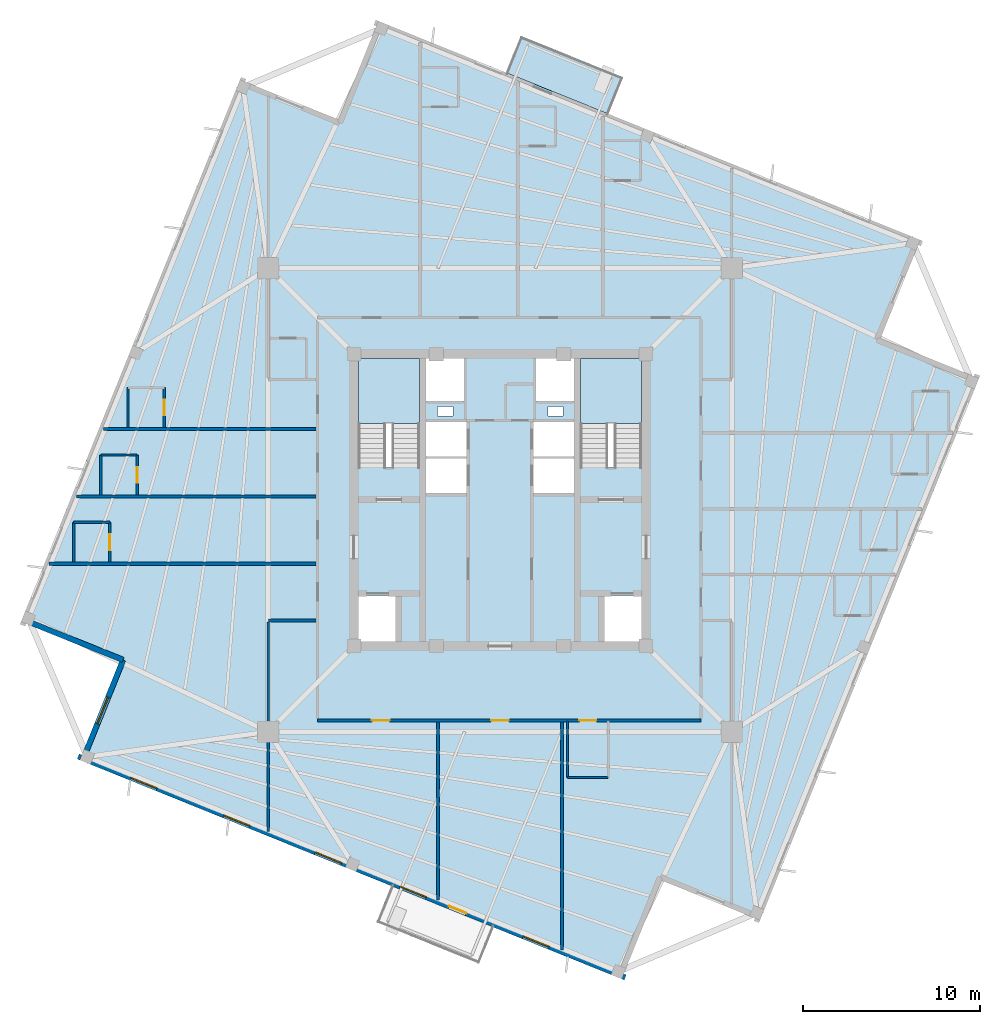
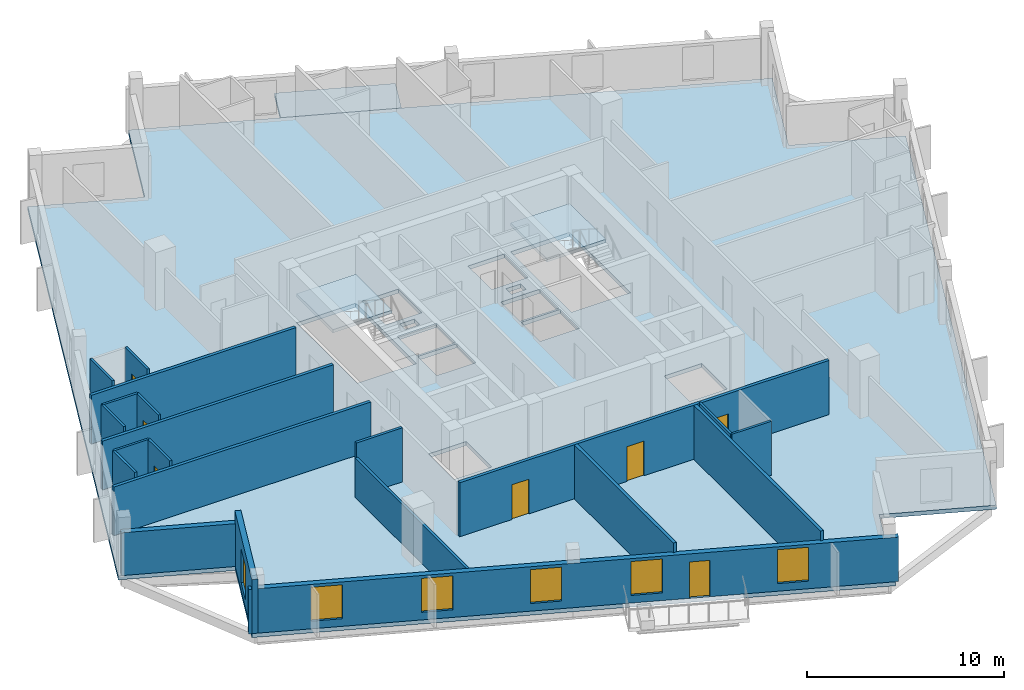
# One storey, part 2 of 9: 21 walls, 7 doors, 6 windows, 4 slabs, 13 openings, 2 elements without a shape of their own.
"""IFC4 building model written with IfcOpenShell, lengths in metres."""

import ifcopenshell
import ifcopenshell.guid

model = None  # the IFC model being written
_history = None  # IfcOwnerHistory: only IFC2X3 demands one
_inside = {}  # id of a spatial element -> (the spatial element, [elements in it])
_under = {}  # id of a project, library or spatial element -> (it, [spatial elements below it])
_declared = {}  # id of a project -> (the project, [libraries it declares])
_typed = {}  # id of a type object -> (the type object, [elements of that type])
_made_of = {}  # id of a material, layer set ... -> (it, [elements and type objects made of it])


def new_model(schema):
    """Start an empty IFC model of exactly this schema.

    Asked for "IFC4X3", IfcOpenShell would pick the latest addendum, in which some entities
    have other attributes; the version numbers below select the first issue.
    IFC2X3 requires an IfcOwnerHistory on every rooted entity: one is made here for all.
    """
    global model, _history
    if schema == "IFC4X3":
        model = ifcopenshell.file(schema_version=(4, 3, 0, 0))
    else:
        model = ifcopenshell.file(schema=schema)
    _inside.clear()
    _under.clear()
    _declared.clear()
    _typed.clear()
    _made_of.clear()
    _history = None
    if model.schema == "IFC2X3":
        org = make("IfcOrganization", Name="unknown")
        user = make(
            "IfcPersonAndOrganization",
            ThePerson=make("IfcPerson", FamilyName="unknown"),
            TheOrganization=org,
        )
        app = make(
            "IfcApplication",
            ApplicationDeveloper=org,
            Version="unknown",
            ApplicationFullName="unknown",
            ApplicationIdentifier="unknown",
        )
        _history = make(
            "IfcOwnerHistory",
            OwningUser=user,
            OwningApplication=app,
            ChangeAction="ADDED",
            CreationDate=0,
        )
    return model


def make(cls, **values):
    """One entity of the class cls with the attributes given. An attribute that is None is left unset."""
    return model.create_entity(
        cls, **{name: value for name, value in values.items() if value is not None}
    )


def rooted(cls, **values):
    """An entity with a GlobalId (a new one), such as an element, a storey or a relation."""
    return make(cls, GlobalId=ifcopenshell.guid.new(), OwnerHistory=_history, **values)


def si_unit(unit_type, name, prefix=None):
    """IfcSIUnit, for example si_unit("LENGTHUNIT", "METRE", prefix="MILLI")."""
    return make("IfcSIUnit", UnitType=unit_type, Prefix=prefix, Name=name)


def assignment(units):
    """IfcUnitAssignment: the units of a project."""
    return None if units is None else make("IfcUnitAssignment", Units=units)


def point(xyz):
    """IfcCartesianPoint."""
    return None if xyz is None else make("IfcCartesianPoint", Coordinates=xyz)


def direction(xyz):
    """IfcDirection."""
    return None if xyz is None else make("IfcDirection", DirectionRatios=xyz)


def frame(location, z_axis=None, x_axis=None):
    """IfcAxis2Placement3D, a coordinate frame: its origin and axes. An axis left out is left unset."""
    return make(
        "IfcAxis2Placement3D",
        Location=point(location),
        Axis=direction(z_axis),
        RefDirection=direction(x_axis),
    )


def frame_2d(location, x_axis=None):
    """IfcAxis2Placement2D, a coordinate frame in the plane: its origin and x axis."""
    return make(
        "IfcAxis2Placement2D", Location=point(location), RefDirection=direction(x_axis)
    )


def origin():
    """The frame at (0, 0, 0) with its axes left unset."""
    return frame((0.0, 0.0, 0.0))


def place(relative_to, where):
    """IfcLocalPlacement: puts the frame where relative to a parent placement (None: the world)."""
    return make(
        "IfcLocalPlacement", PlacementRelTo=relative_to, RelativePlacement=where
    )


def context(
    kind, dimensions, precision=None, world=None, true_north=None, identifier=None
):
    """IfcGeometricRepresentationContext, for example the 3D "Model" context."""
    return make(
        "IfcGeometricRepresentationContext",
        ContextIdentifier=identifier,
        ContextType=kind,
        CoordinateSpaceDimension=dimensions,
        Precision=precision,
        WorldCoordinateSystem=world,
        TrueNorth=true_north,
    )


def subcontext(parent, identifier, kind, view, scale=None):
    """IfcGeometricRepresentationSubContext, for example "Body" below "Model"."""
    return make(
        "IfcGeometricRepresentationSubContext",
        ContextIdentifier=identifier,
        ContextType=kind,
        ParentContext=parent,
        TargetScale=scale,
        TargetView=view,
    )


def project(units=None, contexts=None):
    """IfcProject with its units and contexts."""
    return rooted(
        "IfcProject",
        Name="project",
        RepresentationContexts=contexts,
        UnitsInContext=assignment(units),
    )


def spatial(cls, under=None, at=None, **own):
    """A site, building, storey or space (cls), placed at a placement, below another one or the project."""
    s = rooted(cls, ObjectPlacement=at, **own)
    if under is not None:
        _under.setdefault(under.id(), (under, []))[1].append(s)
    return s


def polyline(points):
    """IfcPolyline through the points."""
    return make("IfcPolyline", Points=[point(p) for p in points])


def profile(cls, at=None, kind="AREA", **sizes):
    """A parametric profile (cls). Its sizes go by their IFC names, for example OverallWidth=200.0."""
    return make(cls, ProfileType=kind, Position=at, **sizes)


def rectangle(**sizes):
    """IfcRectangleProfileDef."""
    return profile("IfcRectangleProfileDef", **sizes)


def outline(outer, holes=None, kind="AREA"):
    """IfcArbitraryClosedProfileDef: a profile drawn as a closed curve; with holes, ...WithVoids."""
    if holes is None:
        return make("IfcArbitraryClosedProfileDef", ProfileType=kind, OuterCurve=outer)
    return make(
        "IfcArbitraryProfileDefWithVoids",
        ProfileType=kind,
        OuterCurve=outer,
        InnerCurves=holes,
    )


def extrude(swept, where, along, depth):
    """IfcExtrudedAreaSolid: the profile swept, set in the frame where, extruded along a direction by depth."""
    return make(
        "IfcExtrudedAreaSolid",
        SweptArea=swept,
        Position=where,
        ExtrudedDirection=direction(along),
        Depth=depth,
    )


def shape(context_of_items, identifier, shape_type, items):
    """IfcShapeRepresentation: the items that make up one representation, for example the "Body"."""
    return make(
        "IfcShapeRepresentation",
        ContextOfItems=context_of_items,
        RepresentationIdentifier=identifier,
        RepresentationType=shape_type,
        Items=items,
    )


def source(mapping_origin, context_of_items, identifier, shape_type, items):
    """IfcRepresentationMap: a shape defined once, which mapped items show again and again."""
    return make(
        "IfcRepresentationMap",
        MappingOrigin=mapping_origin,
        MappedRepresentation=shape(context_of_items, identifier, shape_type, items),
    )


def transform(
    local_origin,
    x_axis=None,
    y_axis=None,
    z_axis=None,
    scale=None,
    scale2=None,
    scale3=None,
    uniform=True,
):
    """IfcCartesianTransformationOperator3D, or its non-uniform kind. x_axis, y_axis, z_axis: its Axis1, 2, 3."""
    if uniform:
        return make(
            "IfcCartesianTransformationOperator3D",
            Axis1=direction(x_axis),
            Axis2=direction(y_axis),
            LocalOrigin=point(local_origin),
            Scale=scale,
            Axis3=direction(z_axis),
        )
    return make(
        "IfcCartesianTransformationOperator3DnonUniform",
        Axis1=direction(x_axis),
        Axis2=direction(y_axis),
        LocalOrigin=point(local_origin),
        Scale=scale,
        Axis3=direction(z_axis),
        Scale2=scale2,
        Scale3=scale3,
    )


def mapped(mapping_source, mapping_target):
    """IfcMappedItem: shows the shape of a source again, moved by a transform."""
    return make(
        "IfcMappedItem", MappingSource=mapping_source, MappingTarget=mapping_target
    )


def material(Name=None, Category=None):
    """IfcMaterial."""
    return make("IfcMaterial", Name=Name, Category=Category)


def layer(
    of_material, thickness, ventilated=None, Name=None, Category=None, Priority=None
):
    """IfcMaterialLayer: one layer of a wall or slab, of a material (None: an air gap)."""
    return make(
        "IfcMaterialLayer",
        Material=of_material,
        LayerThickness=thickness,
        IsVentilated=ventilated,
        Name=Name,
        Category=Category,
        Priority=Priority,
    )


def layer_set(layers, Name=None):
    """IfcMaterialLayerSet."""
    return make("IfcMaterialLayerSet", MaterialLayers=layers, LayerSetName=Name)


def made_of(thing, what):
    """Note that an element or type object is made of a material, layer set ...; save() writes the relation."""
    if what is not None:
        _made_of.setdefault(what.id(), (what, []))[1].append(thing)
    return thing


def type_object(cls, material=None, **own):
    """A type object (cls), such as IfcWallType, which elements share."""
    return made_of(rooted(cls, **own), material)


def element(
    cls,
    number,
    at=None,
    inside=None,
    cuts=None,
    type_object=None,
    material=None,
    context=None,
    identifier="Body",
    shape_type=None,
    held_by="IfcProductDefinitionShape",
    body=None,
    shapes=None,
    **own,
):
    """One element of the class cls, such as IfcWall. Its Tag is "e" and its number.

    at: its placement. inside: the storey or other place that contains it. cuts: it is an
    opening in that element (IfcRelVoidsElement). A single representation is given by context,
    identifier, shape_type and body (its items); several are given by shapes. held_by: the class
    of the entity that holds the representations. save() writes the other relations.
    """
    e = rooted(cls, Tag="e%d" % number, ObjectPlacement=at, **own)
    if body is not None:
        shapes = [shape(context, identifier, shape_type, body)]
    if shapes is not None:
        e.Representation = make(held_by, Representations=shapes)
    if inside is not None:
        _inside.setdefault(inside.id(), (inside, []))[1].append(e)
    if cuts is not None:
        rooted(
            "IfcRelVoidsElement", RelatingBuildingElement=cuts, RelatedOpeningElement=e
        )
    if type_object is not None:
        _typed.setdefault(type_object.id(), (type_object, []))[1].append(e)
    return made_of(e, material)


def fill(opening, filler):
    """IfcRelFillsElement: the door or window that sits in an opening."""
    return rooted(
        "IfcRelFillsElement",
        RelatingOpeningElement=opening,
        RelatedBuildingElement=filler,
    )


def aggregate(whole, parts):
    """IfcRelAggregates: a whole, such as a stair, and the parts it consists of."""
    return rooted("IfcRelAggregates", RelatingObject=whole, RelatedObjects=parts)


def save(model, path):
    """Write the relations noted so far, then the file.

    IfcRelAggregates (storeys below a building ...), IfcRelContainedInSpatialStructure (elements
    in a storey), IfcRelDefinesByType, IfcRelAssociatesMaterial and IfcRelDeclares: one each for
    every whole, place, type object, material and project.
    """
    for whole, parts in _under.values():
        aggregate(whole, parts)
    for where, things in _inside.values():
        rooted(
            "IfcRelContainedInSpatialStructure",
            RelatedElements=things,
            RelatingStructure=where,
        )
    for kind, things in _typed.values():
        rooted("IfcRelDefinesByType", RelatedObjects=things, RelatingType=kind)
    for what, things in _made_of.values():
        rooted("IfcRelAssociatesMaterial", RelatedObjects=things, RelatingMaterial=what)
    for by, libraries in _declared.values():
        rooted("IfcRelDeclares", RelatingContext=by, RelatedDefinitions=libraries)
    model.write(path)


model = new_model("IFC4")

# Units and contexts
model_context = context("Model", 3, precision=1e-05, world=origin(), true_north=direction((0.0, 1.0)))
body_context = subcontext(model_context, "Body", "Model", "MODEL_VIEW")
ifc_project = project(units=[si_unit("LENGTHUNIT", "METRE"), si_unit("AREAUNIT", "SQUARE_METRE"), si_unit("VOLUMEUNIT", "CUBIC_METRE"), si_unit("PLANEANGLEUNIT", "RADIAN"), si_unit("MASSUNIT", "GRAM", prefix="KILO"), si_unit("THERMODYNAMICTEMPERATUREUNIT", "KELVIN")], contexts=[model_context])

# Site, building, storey
site_placement = place(None, origin())
site = spatial("IfcSite", under=ifc_project, at=site_placement, CompositionType="ELEMENT")
building_placement = place(site_placement, origin())
building = spatial("IfcBuilding", under=site, at=building_placement, Name="Kosmvard Interchange Tower", CompositionType="ELEMENT")
storey_placement = place(building_placement, frame((0.0, 0.0, 297.60009765625)))
storey = spatial("IfcBuildingStorey", under=building, at=storey_placement, Name="L73", CompositionType="ELEMENT", Elevation=297.60009765625)

# Slab
ifc_material_1 = material(Name="Concrete C50/60", Category="concrete")
ifc_layer_1 = layer(ifc_material_1, 0.25, Name="Concrete C50/60")
ifc_layer_set_1 = layer_set([ifc_layer_1], Name="Concrete C50/60")
slab_type_1 = type_object("IfcSlabType", Name="Hotel Acoustic Floor Slab 250 C50/60", PredefinedType="FLOOR", material=ifc_layer_set_1)
slab_1_placement = place(storey_placement, frame((0.0, 0.0, -0.25)))
element("IfcSlab", 1, at=slab_1_placement, inside=storey, type_object=slab_type_1, Name="L73 Structural Floor Slab", PredefinedType="FLOOR", context=body_context, shape_type="SweptSolid", body=[
    extrude(outline(polyline([(14.6806640625, -23.727294921875), (27.042724609375, 6.869873046875), (21.4794921875, 9.117431640625), (23.727294921875, 14.6806640625), (-6.869873046875, 27.042724609375), (-9.117431640625, 21.4794921875), (-14.6806640625, 23.727294921875), (-27.042724609375, -6.869873046875), (-21.4794921875, -9.117431640625), (-23.727294921875, -14.6806640625), (6.869873046875, -27.042724609375), (9.117431640625, -21.4794921875), (14.6806640625, -23.727294921875)]), holes=[polyline([(-8.0, 1.8349609375), (-4.5400390625, 1.8349609375), (-4.5400390625, 8.0), (-8.0, 8.0), (-8.0, 1.8349609375)]), polyline([(4.5400390625, 1.8349609375), (8.0, 1.8349609375), (8.0, 8.0), (4.5400390625, 8.0), (4.5400390625, 1.8349609375)]), polyline([(-8.0, -8.0), (-5.800048828125, -8.0), (-5.800048828125, -5.39990234375), (-8.0, -5.39990234375), (-8.0, -8.0)]), polyline([(5.800048828125, -8.0), (8.0, -8.0), (8.0, -5.39990234375), (5.800048828125, -5.39990234375), (5.800048828125, -8.0)]), polyline([(-4.179931640625, 0.39990234375), (-1.8798828125, 0.39990234375), (-1.8798828125, 2.340087890625), (-4.179931640625, 2.340087890625), (-4.179931640625, 0.39990234375)]), polyline([(-4.179931640625, 2.4599609375), (-1.8798828125, 2.4599609375), (-1.8798828125, 4.39990234375), (-4.179931640625, 4.39990234375), (-4.179931640625, 2.4599609375)]), polyline([(1.8798828125, 0.39990234375), (4.179931640625, 0.39990234375), (4.179931640625, 2.340087890625), (1.8798828125, 2.340087890625), (1.8798828125, 0.39990234375)]), polyline([(1.8798828125, 2.4599609375), (4.179931640625, 2.4599609375), (4.179931640625, 4.39990234375), (1.8798828125, 4.39990234375), (1.8798828125, 2.4599609375)]), polyline([(-4.179931640625, 5.60009765625), (-2.0400390625, 5.60009765625), (-2.0400390625, 8.0), (-4.179931640625, 8.0), (-4.179931640625, 5.60009765625)]), polyline([(2.0400390625, 5.60009765625), (4.179931640625, 5.60009765625), (4.179931640625, 8.0), (2.0400390625, 8.0), (2.0400390625, 5.60009765625)]), polyline([(-3.514892578125, 4.739990234375), (-2.6650390625, 4.739990234375), (-2.6650390625, 5.2900390625), (-3.514892578125, 5.2900390625), (-3.514892578125, 4.739990234375)]), polyline([(2.715087890625, 4.739990234375), (3.56494140625, 4.739990234375), (3.56494140625, 5.2900390625), (2.715087890625, 5.2900390625), (2.715087890625, 4.739990234375)])]), origin(), (0.0, 0.0, 1.0), 0.25),
])

# Stair, slab
stair_type = type_object("IfcStairType", Name="Dog-Leg Core Exit Stair H3600 C50/60", PredefinedType="HALF_TURN_STAIR", material=ifc_material_1)
stair_1_placement = place(storey_placement, origin())
stair_1 = element("IfcStair", 2, at=stair_1_placement, inside=storey, type_object=stair_type, Name="L73 Protected Exit Stair ST-1", PredefinedType="HALF_TURN_STAIR")
ifc_layer_2 = layer(ifc_material_1, 0.199951171875, Name="Concrete C50/60")
ifc_layer_set_2 = layer_set([ifc_layer_2], Name="Concrete C50/60")
slab_type_2 = type_object("IfcSlabType", Name="Stair Half-Landing Slab 200 C50/60", PredefinedType="LANDING", material=ifc_layer_set_2)
slab_2_placement = place(storey_placement, frame((0.0, 0.0, 1.599853515625)))
slab_2 = element("IfcSlab", 3, at=slab_2_placement, type_object=slab_type_2, Name="ST-1 landing 1", PredefinedType="LANDING", context=body_context, shape_type="SweptSolid", body=[
    extrude(outline(polyline([(-4.5400390625, 4.320068359375), (-4.5400390625, 8.0), (-8.0, 8.0), (-8.0, 4.320068359375), (-4.5400390625, 4.320068359375)])), origin(), (0.0, 0.0, 1.0), 0.199951171875),
])
aggregate(stair_1, [slab_2])

stair_2_placement = place(storey_placement, origin())
stair_2 = element("IfcStair", 4, at=stair_2_placement, inside=storey, type_object=stair_type, Name="L73 Protected Exit Stair ST-2", PredefinedType="HALF_TURN_STAIR")
slab_3_placement = place(storey_placement, frame((0.0, 0.0, 1.599853515625)))
slab_3 = element("IfcSlab", 5, at=slab_3_placement, type_object=slab_type_2, Name="ST-2 landing 1", PredefinedType="LANDING", context=body_context, shape_type="SweptSolid", body=[
    extrude(outline(polyline([(8.0, 4.320068359375), (8.0, 8.0), (4.5400390625, 8.0), (4.5400390625, 4.320068359375), (8.0, 4.320068359375)])), origin(), (0.0, 0.0, 1.0), 0.199951171875),
])
aggregate(stair_2, [slab_3])

# Slab
ifc_layer_3 = layer(ifc_material_1, 0.22998046875, Name="Concrete C50/60")
ifc_layer_set_3 = layer_set([ifc_layer_3], Name="Concrete C50/60")
slab_type_3 = type_object("IfcSlabType", Name="Tree-Planter Cantilever Balcony Slab 230 C50/60", PredefinedType="FLOOR", material=ifc_layer_set_3)
slab_4_placement = place(storey_placement, frame((0.0, 0.0, -0.22998046875)))
element("IfcSlab", 6, at=slab_4_placement, inside=storey, type_object=slab_type_3, Name="L73 Outdoor Terrace Balcony Slab BAL-L73-E", PredefinedType="FLOOR", context=body_context, shape_type="SweptSolid", body=[
    extrude(outline(polyline([(6.110595703125, 21.798095703125), (6.934814453125, 23.837890625), (1.186279296875, 26.160400390625), (0.362060546875, 24.12060546875), (6.110595703125, 21.798095703125)])), origin(), (0.0, 0.0, 1.0), 0.22998046875),
])

# Walls
ifc_material_2 = material(Name="Acoustic gypsum partition system")
ifc_layer_4 = layer(ifc_material_2, 0.14990234375, Name="Acoustic gypsum partition system")
ifc_layer_set_4 = layer_set([ifc_layer_4], Name="Acoustic gypsum partition system")
wall_type_1 = type_object("IfcWallType", Name="Acoustic Suite & Meeting Partition 150", PredefinedType="PARTITIONING", material=ifc_layer_set_4)
wall_1_placement = place(storey_placement, frame((-10.39501953125, -6.800048828125, 0.0), z_axis=(0.0, 0.0, 1.0), x_axis=(-1.0, 0.0, 0.0)))
element("IfcWall", 7, at=wall_1_placement, inside=storey, type_object=wall_type_1, Name="L73 Room Partition 18.1", PredefinedType="PARTITIONING", context=body_context, shape_type="SweptSolid", body=[
    extrude(rectangle(XDim=2.68603515625, YDim=0.14990234375, at=frame_2d((1.343017578125, 0.0))), origin(), (0.0, 0.0, 1.0), 3.349853515625),
])
wall_2_placement = place(storey_placement, frame((-13.0810546875, -6.875, 0.0), z_axis=(0.0, 0.0, 1.0), x_axis=(0.0, -1.0, 0.0)))
element("IfcWall", 8, at=wall_2_placement, inside=storey, type_object=wall_type_1, Name="L73 Room Partition 19.1", PredefinedType="PARTITIONING", context=body_context, shape_type="SweptSolid", body=[
    extrude(rectangle(XDim=11.8427734375, YDim=0.14990234375, at=frame_2d((5.92138671875, 0.0))), origin(), (0.0, 0.0, 1.0), 2.449951171875),
])

# Wall, openings, doors
ifc_material_3 = material(Name="Fire-rated gypsum partition system")
ifc_layer_5 = layer(ifc_material_3, 0.179931640625, Name="Fire-rated gypsum partition system")
ifc_layer_set_5 = layer_set([ifc_layer_5], Name="Fire-rated gypsum partition system")
wall_type_2 = type_object("IfcWallType", Name="Corridor & Hotel Compartment Partition 180", PredefinedType="PARTITIONING", material=ifc_layer_set_5)
wall_3_placement = place(storey_placement, frame((-10.300048828125, -12.449951171875, 0.0), z_axis=(0.0, 0.0, 1.0), x_axis=(1.0, 0.0, 0.0)))
wall_3 = element("IfcWall", 9, at=wall_3_placement, inside=storey, type_object=wall_type_2, Name="L73 Corridor Wall CS", PredefinedType="PARTITIONING", context=body_context, shape_type="SweptSolid", body=[
    extrude(rectangle(XDim=21.650146484375, YDim=0.179931640625, at=frame_2d((10.8251953125, 0.0))), origin(), (0.0, 0.0, 1.0), 3.349853515625),
])
opening_1_placement = place(wall_3_placement, frame((14.7861328125, 0.0, 0.0)))
opening_1 = element("IfcOpeningElement", 10, at=opening_1_placement, cuts=wall_3, Name="Opening L73-D01", PredefinedType="OPENING", context=body_context, shape_type="SweptSolid", body=[
    extrude(rectangle(XDim=0.949951171875, YDim=2.10009765625, at=frame_2d((0.47509765625, 1.050048828125))), frame((0.0, 0.10009765625, 0.0), z_axis=(0.0, -1.0, 0.0), x_axis=(1.0, 0.0, 0.0)), (0.0, 0.0, 1.0), 0.199951171875),
])
opening_2_placement = place(wall_3_placement, frame((9.800048828125, 0.0, 0.0)))
opening_2 = element("IfcOpeningElement", 11, at=opening_2_placement, cuts=wall_3, Name="Opening L73-D23", PredefinedType="OPENING", context=body_context, shape_type="SweptSolid", body=[
    extrude(rectangle(XDim=1.0, YDim=2.14990234375, at=frame_2d((0.5, 1.074951171875))), frame((0.0, 0.10009765625, 0.0), z_axis=(0.0, -1.0, 0.0), x_axis=(1.0, 0.0, 0.0)), (0.0, 0.0, 1.0), 0.199951171875),
])
opening_3_placement = place(wall_3_placement, frame((3.064453125, 0.0, 0.0)))
opening_3 = element("IfcOpeningElement", 12, at=opening_3_placement, cuts=wall_3, Name="Opening L73-D24", PredefinedType="OPENING", context=body_context, shape_type="SweptSolid", body=[
    extrude(rectangle(XDim=1.0, YDim=2.14990234375, at=frame_2d((0.5, 1.074951171875))), frame((0.0, 0.10009765625, 0.0), z_axis=(0.0, -1.0, 0.0), x_axis=(1.0, 0.0, 0.0)), (0.0, 0.0, 1.0), 0.199951171875),
])
ifc_material_4 = material(Name="Laminated moisture-resistant timber", Category="wood")
door_type_1 = type_object("IfcDoorType", Name="Accessible Washroom Door 950x2100", OperationType="NOTDEFINED", PredefinedType="DOOR", material=ifc_material_4)
shared_shape_1 = source(origin(), body_context, "Body", "SweptSolid", [
    extrude(rectangle(XDim=0.949951171875, YDim=2.10009765625, at=frame_2d((0.47509765625, 1.050048828125))), frame((0.0, 0.02490234375, 0.0), z_axis=(0.0, -1.0, 0.0), x_axis=(1.0, 0.0, 0.0)), (0.0, 0.0, 1.0), 0.050048828125),
])
door_1_placement = place(opening_1_placement, frame((0.949951171875, 0.0, 0.0), z_axis=(0.0, 0.0, 1.0), x_axis=(-1.0, 0.0, 0.0)))
door_1 = element("IfcDoor", 13, at=door_1_placement, inside=storey, type_object=door_type_1, Name="L73 Accessible Guest Toilet Door", OperationType="SINGLE_SWING_LEFT", OverallHeight=2.10009765625, OverallWidth=0.949951171875, PredefinedType="DOOR", context=body_context, shape_type="MappedRepresentation", body=[
    mapped(shared_shape_1, transform((0.0, 0.0, 0.0), scale=1.0)),
])
fill(opening_1, door_1)
ifc_material_5 = material(Name="Engineered oak fire-rated timber", Category="wood")
door_type_2 = type_object("IfcDoorType", Name="Hotel Guestroom Entrance Door 1000x2150 EI60", OperationType="NOTDEFINED", PredefinedType="DOOR", material=ifc_material_5)
shared_shape_2 = source(origin(), body_context, "Body", "SweptSolid", [
    extrude(rectangle(XDim=1.0, YDim=2.14990234375, at=frame_2d((0.5, 1.074951171875))), frame((0.0, 0.02490234375, 0.0), z_axis=(0.0, -1.0, 0.0), x_axis=(1.0, 0.0, 0.0)), (0.0, 0.0, 1.0), 0.050048828125),
])
door_2_placement = place(opening_2_placement, frame((1.0, 0.0, 0.0), z_axis=(0.0, 0.0, 1.0), x_axis=(-1.0, 0.0, 0.0)))
door_2 = element("IfcDoor", 14, at=door_2_placement, inside=storey, type_object=door_type_2, Name="L73 Hotel Thermal Wellness Spa Door", OperationType="SINGLE_SWING_LEFT", OverallHeight=2.14990234375, OverallWidth=1.0, PredefinedType="DOOR", context=body_context, shape_type="MappedRepresentation", body=[
    mapped(shared_shape_2, transform((0.0, 0.0, 0.0), scale=1.0)),
])
fill(opening_2, door_2)
door_3_placement = place(opening_3_placement, frame((1.0, 0.0, 0.0), z_axis=(0.0, 0.0, 1.0), x_axis=(-1.0, 0.0, 0.0)))
door_3 = element("IfcDoor", 15, at=door_3_placement, inside=storey, type_object=door_type_2, Name="L73 Hotel Guest Fitness Studio Door", OperationType="SINGLE_SWING_RIGHT", OverallHeight=2.14990234375, OverallWidth=1.0, PredefinedType="DOOR", context=body_context, shape_type="MappedRepresentation", body=[
    mapped(shared_shape_2, transform((0.0, 0.0, 0.0), scale=1.0)),
])
fill(opening_3, door_3)

# Walls
wall_4_placement = place(storey_placement, frame((3.5, -12.544921875, 0.0), z_axis=(0.0, 0.0, 1.0), x_axis=(0.0, -1.0, 0.0)))
element("IfcWall", 16, at=wall_4_placement, inside=storey, type_object=wall_type_2, Name="L73 Room Partition 07.1", PredefinedType="PARTITIONING", context=body_context, shape_type="SweptSolid", body=[
    extrude(rectangle(XDim=12.8720703125, YDim=0.179931640625, at=frame_2d((6.43603515625, 0.0))), origin(), (0.0, 0.0, 1.0), 3.349853515625),
])
wall_5_placement = place(storey_placement, frame((-3.5, -12.544921875, 0.0), z_axis=(0.0, 0.0, 1.0), x_axis=(0.0, -1.0, 0.0)))
element("IfcWall", 17, at=wall_5_placement, inside=storey, type_object=wall_type_2, Name="L73 Room Partition 08.1", PredefinedType="PARTITIONING", context=body_context, shape_type="SweptSolid", body=[
    extrude(rectangle(XDim=10.043701171875, YDim=0.179931640625, at=frame_2d((5.02197265625, 0.0))), origin(), (0.0, 0.0, 1.0), 3.349853515625),
])
wall_6_placement = place(storey_placement, frame((-10.39501953125, -3.60009765625, 0.0), z_axis=(0.0, 0.0, 1.0), x_axis=(-1.0, 0.0, 0.0)))
element("IfcWall", 18, at=wall_6_placement, inside=storey, type_object=wall_type_2, Name="L73 Room Partition 09.1", PredefinedType="PARTITIONING", context=body_context, shape_type="SweptSolid", body=[
    extrude(rectangle(XDim=15.062255859375, YDim=0.179931640625, at=frame_2d((7.53125, 0.0))), origin(), (0.0, 0.0, 1.0), 3.02001953125),
])
wall_7_placement = place(storey_placement, frame((-10.39501953125, 0.199951171875, 0.0), z_axis=(0.0, 0.0, 1.0), x_axis=(-1.0, 0.0, 0.0)))
element("IfcWall", 19, at=wall_7_placement, inside=storey, type_object=wall_type_2, Name="L73 Room Partition 10.1", PredefinedType="PARTITIONING", context=body_context, shape_type="SweptSolid", body=[
    extrude(rectangle(XDim=13.52685546875, YDim=0.179931640625, at=frame_2d((6.763427734375, 0.0))), origin(), (0.0, 0.0, 1.0), 3.02001953125),
])
wall_8_placement = place(storey_placement, frame((-10.39501953125, 4.0, 0.0), z_axis=(0.0, 0.0, 1.0), x_axis=(-1.0, 0.0, 0.0)))
element("IfcWall", 20, at=wall_8_placement, inside=storey, type_object=wall_type_2, Name="L73 Room Partition 11.1", PredefinedType="PARTITIONING", context=body_context, shape_type="SweptSolid", body=[
    extrude(rectangle(XDim=11.99169921875, YDim=0.179931640625, at=frame_2d((5.995849609375, 0.0))), origin(), (0.0, 0.0, 1.0), 3.02001953125),
])
ifc_material_6 = material(Name="Precast concrete C45/55", Category="concrete")
ifc_layer_6 = layer(ifc_material_6, 0.31005859375, Name="Precast concrete C45/55")
ifc_layer_set_6 = layer_set([ifc_layer_6], Name="Precast concrete C45/55")
wall_type_3 = type_object("IfcWallType", Name="Upper Tower Precast Pier Wall 310 C45/55", PredefinedType="STANDARD", material=ifc_layer_set_6)
wall_9_placement = place(storey_placement, frame((-26.8408203125, -6.7841796875, 0.0), z_axis=(0.0, 0.0, 1.0), x_axis=(0.927171722085, -0.374636620962, 0.0)))
element("IfcWall", 21, at=wall_9_placement, inside=storey, type_object=wall_type_3, Name="L73 Precast Facade Wall N-NW1", PredefinedType="STANDARD", context=body_context, shape_type="SweptSolid", body=[
    extrude(rectangle(XDim=6.0, YDim=0.31005859375, at=frame_2d((3.0, 0.0))), origin(), (0.0, 0.0, 1.0), 2.64990234375),
])

# Wall, opening, window
wall_10_placement = place(storey_placement, frame((-21.27783203125, -9.031982421875, 0.0), z_axis=(0.0, 0.0, 1.0), x_axis=(-0.374602739196, -0.927185411764, 0.0)))
wall_10 = element("IfcWall", 22, at=wall_10_placement, inside=storey, type_object=wall_type_3, Name="L73 Precast Facade Wall N-NW2", PredefinedType="STANDARD", context=body_context, shape_type="SweptSolid", body=[
    extrude(rectangle(XDim=6.155029296875, YDim=0.31005859375, at=frame_2d((3.07763671875, 0.0))), origin(), (0.0, 0.0, 1.0), 3.349853515625),
])
opening_4_placement = place(wall_10_placement, frame((2.277587890625, 0.0, 0.469970703125)))
opening_4 = element("IfcOpeningElement", 23, at=opening_4_placement, cuts=wall_10, Name="Opening L73-W21", PredefinedType="OPENING", context=body_context, shape_type="SweptSolid", body=[
    extrude(rectangle(XDim=1.60009765625, YDim=2.10009765625, at=frame_2d((0.800048828125, 1.050048828125))), frame((0.0, 0.1650390625, 0.0), z_axis=(0.0, -1.0, 0.0), x_axis=(1.0, 0.0, 0.0)), (0.0, 0.0, 1.0), 0.330078125),
])
ifc_material_7 = material(Name="Low-E acoustic double glazing", Category="glass")
window_type = type_object("IfcWindowType", Name="Zone 5 Hotel Punched Window 1600x2100", PartitioningType="SINGLE_PANEL", PredefinedType="WINDOW", material=ifc_material_7)
shared_shape_3 = source(origin(), body_context, "Body", "SweptSolid", [
    extrude(rectangle(XDim=1.60009765625, YDim=2.10009765625, at=frame_2d((0.800048828125, 1.050048828125))), frame((0.0, 0.030029296875, 0.0), z_axis=(0.0, -1.0, 0.0), x_axis=(1.0, 0.0, 0.0)), (0.0, 0.0, 1.0), 0.06005859375),
])
window_1_placement = place(opening_4_placement, origin())
window_1 = element("IfcWindow", 24, at=window_1_placement, inside=storey, type_object=window_type, Name="L73 Corner Notch Window 21", OverallHeight=2.10009765625, OverallWidth=1.60009765625, PartitioningType="SINGLE_PANEL", PredefinedType="WINDOW", context=body_context, shape_type="MappedRepresentation", body=[
    mapped(shared_shape_3, transform((0.0, 0.0, 0.0), scale=1.0)),
])
fill(opening_4, window_1)

# Wall, openings, door, windows
wall_11_placement = place(storey_placement, frame((-23.812744140625, -14.478759765625, 0.0), z_axis=(0.0, 0.0, 1.0), x_axis=(0.927182657188, -0.374609557019, 0.0)))
wall_11 = element("IfcWall", 25, at=wall_11_placement, inside=storey, type_object=wall_type_3, Name="L73 Precast Facade Wall F-W", PredefinedType="STANDARD", context=body_context, shape_type="SweptSolid", body=[
    extrude(rectangle(XDim=33.31005859375, YDim=0.31005859375, at=frame_2d((16.655029296875, 0.0))), origin(), (0.0, 0.0, 1.0), 2.75),
])
opening_5_placement = place(wall_11_placement, frame((22.580078125, 0.0, 0.0)))
opening_5 = element("IfcOpeningElement", 26, at=opening_5_placement, cuts=wall_11, Name="Opening L73-BDW", PredefinedType="OPENING", context=body_context, shape_type="SweptSolid", body=[
    extrude(rectangle(XDim=1.050048828125, YDim=2.25, at=frame_2d((0.52490234375, 1.125))), frame((0.0, 0.1650390625, 0.0), z_axis=(0.0, -1.0, 0.0), x_axis=(1.0, 0.0, 0.0)), (0.0, 0.0, 1.0), 0.330078125),
])
opening_6_placement = place(wall_11_placement, frame((3.197265625, 0.0, 0.469970703125)))
opening_6 = element("IfcOpeningElement", 27, at=opening_6_placement, cuts=wall_11, Name="Opening L73-W14", PredefinedType="OPENING", context=body_context, shape_type="SweptSolid", body=[
    extrude(rectangle(XDim=1.60009765625, YDim=2.10009765625, at=frame_2d((0.800048828125, 1.050048828125))), frame((0.0, 0.1650390625, 0.0), z_axis=(0.0, -1.0, 0.0), x_axis=(1.0, 0.0, 0.0)), (0.0, 0.0, 1.0), 0.330078125),
])
opening_7_placement = place(wall_11_placement, frame((8.85986328125, 0.0, 0.469970703125)))
opening_7 = element("IfcOpeningElement", 28, at=opening_7_placement, cuts=wall_11, Name="Opening L73-W15", PredefinedType="OPENING", context=body_context, shape_type="SweptSolid", body=[
    extrude(rectangle(XDim=1.60009765625, YDim=2.10009765625, at=frame_2d((0.800048828125, 1.050048828125))), frame((0.0, 0.1650390625, 0.0), z_axis=(0.0, -1.0, 0.0), x_axis=(1.0, 0.0, 0.0)), (0.0, 0.0, 1.0), 0.330078125),
])
opening_8_placement = place(wall_11_placement, frame((14.438720703125, 0.0, 0.469970703125)))
opening_8 = element("IfcOpeningElement", 29, at=opening_8_placement, cuts=wall_11, Name="Opening L73-W16", PredefinedType="OPENING", context=body_context, shape_type="SweptSolid", body=[
    extrude(rectangle(XDim=1.60009765625, YDim=2.10009765625, at=frame_2d((0.800048828125, 1.050048828125))), frame((0.0, 0.1650390625, 0.0), z_axis=(0.0, -1.0, 0.0), x_axis=(1.0, 0.0, 0.0)), (0.0, 0.0, 1.0), 0.330078125),
])
opening_9_placement = place(wall_11_placement, frame((19.600830078125, 0.0, 0.469970703125)))
opening_9 = element("IfcOpeningElement", 30, at=opening_9_placement, cuts=wall_11, Name="Opening L73-W17", PredefinedType="OPENING", context=body_context, shape_type="SweptSolid", body=[
    extrude(rectangle(XDim=1.60009765625, YDim=2.10009765625, at=frame_2d((0.800048828125, 1.050048828125))), frame((0.0, 0.1650390625, 0.0), z_axis=(0.0, -1.0, 0.0), x_axis=(1.0, 0.0, 0.0)), (0.0, 0.0, 1.0), 0.330078125),
])
opening_10_placement = place(wall_11_placement, frame((27.0966796875, 0.0, 0.469970703125)))
opening_10 = element("IfcOpeningElement", 31, at=opening_10_placement, cuts=wall_11, Name="Opening L73-W18", PredefinedType="OPENING", context=body_context, shape_type="SweptSolid", body=[
    extrude(rectangle(XDim=1.60009765625, YDim=2.10009765625, at=frame_2d((0.800048828125, 1.050048828125))), frame((0.0, 0.1650390625, 0.0), z_axis=(0.0, -1.0, 0.0), x_axis=(1.0, 0.0, 0.0)), (0.0, 0.0, 1.0), 0.330078125),
])
ifc_material_8 = material(Name="Anodised aluminium and safety glass", Category="aluminium")
door_type_3 = type_object("IfcDoorType", Name="Tree-Balcony Glazed Door 1050x2250", OperationType="NOTDEFINED", PredefinedType="DOOR", material=ifc_material_8)
shared_shape_4 = source(origin(), body_context, "Body", "SweptSolid", [
    extrude(rectangle(XDim=1.050048828125, YDim=2.25, at=frame_2d((0.52490234375, 1.125))), frame((0.0, 0.02490234375, 0.0), z_axis=(0.0, -1.0, 0.0), x_axis=(1.0, 0.0, 0.0)), (0.0, 0.0, 1.0), 0.050048828125),
])
door_4_placement = place(opening_5_placement, origin())
door_4 = element("IfcDoor", 32, at=door_4_placement, inside=storey, type_object=door_type_3, Name="L73 Tree-Balcony Door BAL-L73-W", OperationType="SINGLE_SWING_RIGHT", OverallHeight=2.25, OverallWidth=1.050048828125, PredefinedType="DOOR", context=body_context, shape_type="MappedRepresentation", body=[
    mapped(shared_shape_4, transform((0.0, 0.0, 0.0), scale=1.0)),
])
fill(opening_5, door_4)
window_2_placement = place(opening_6_placement, origin())
window_2 = element("IfcWindow", 33, at=window_2_placement, inside=storey, type_object=window_type, Name="L73 Facade Punched Window 14", OverallHeight=2.10009765625, OverallWidth=1.60009765625, PartitioningType="SINGLE_PANEL", PredefinedType="WINDOW", context=body_context, shape_type="MappedRepresentation", body=[
    mapped(shared_shape_3, transform((0.0, 0.0, 0.0), scale=1.0)),
])
fill(opening_6, window_2)
window_3_placement = place(opening_7_placement, origin())
window_3 = element("IfcWindow", 34, at=window_3_placement, inside=storey, type_object=window_type, Name="L73 Facade Punched Window 15", OverallHeight=2.10009765625, OverallWidth=1.60009765625, PartitioningType="SINGLE_PANEL", PredefinedType="WINDOW", context=body_context, shape_type="MappedRepresentation", body=[
    mapped(shared_shape_3, transform((0.0, 0.0, 0.0), scale=1.0)),
])
fill(opening_7, window_3)
window_4_placement = place(opening_8_placement, origin())
window_4 = element("IfcWindow", 35, at=window_4_placement, inside=storey, type_object=window_type, Name="L73 Facade Punched Window 16", OverallHeight=2.10009765625, OverallWidth=1.60009765625, PartitioningType="SINGLE_PANEL", PredefinedType="WINDOW", context=body_context, shape_type="MappedRepresentation", body=[
    mapped(shared_shape_3, transform((0.0, 0.0, 0.0), scale=1.0)),
])
fill(opening_8, window_4)
window_5_placement = place(opening_9_placement, origin())
window_5 = element("IfcWindow", 36, at=window_5_placement, inside=storey, type_object=window_type, Name="L73 Facade Punched Window 17", OverallHeight=2.10009765625, OverallWidth=1.60009765625, PartitioningType="SINGLE_PANEL", PredefinedType="WINDOW", context=body_context, shape_type="MappedRepresentation", body=[
    mapped(shared_shape_3, transform((0.0, 0.0, 0.0), scale=1.0)),
])
fill(opening_9, window_5)
window_6_placement = place(opening_10_placement, origin())
window_6 = element("IfcWindow", 37, at=window_6_placement, inside=storey, type_object=window_type, Name="L73 Facade Punched Window 18", OverallHeight=2.10009765625, OverallWidth=1.60009765625, PartitioningType="SINGLE_PANEL", PredefinedType="WINDOW", context=body_context, shape_type="MappedRepresentation", body=[
    mapped(shared_shape_3, transform((0.0, 0.0, 0.0), scale=1.0)),
])
fill(opening_10, window_6)

# Walls
ifc_material_9 = material(Name="Moisture-resistant gypsum partition")
ifc_layer_7 = layer(ifc_material_9, 0.135009765625, Name="Moisture-resistant gypsum partition")
ifc_layer_set_7 = layer_set([ifc_layer_7], Name="Moisture-resistant gypsum partition")
wall_type_4 = type_object("IfcWallType", Name="Wet Room Moisture-Resistant Partition 135", PredefinedType="PARTITIONING", material=ifc_layer_set_7)
wall_12_placement = place(storey_placement, frame((3.81103515625, -15.669921875, 0.0), z_axis=(0.0, 0.0, 1.0), x_axis=(1.0, 0.0, 0.0)))
element("IfcWall", 38, at=wall_12_placement, inside=storey, type_object=wall_type_4, Name="L73 Washroom Partition HAWC-S", PredefinedType="PARTITIONING", context=body_context, shape_type="SweptSolid", body=[
    extrude(rectangle(XDim=2.300048828125, YDim=0.135009765625, at=frame_2d((1.14990234375, 0.0))), origin(), (0.0, 0.0, 1.0), 3.349853515625),
])
wall_13_placement = place(storey_placement, frame((3.81103515625, -15.669921875, 0.0), z_axis=(0.0, 0.0, 1.0), x_axis=(0.0, 1.0, 0.0)))
element("IfcWall", 39, at=wall_13_placement, inside=storey, type_object=wall_type_4, Name="L73 Washroom Partition HAWC-W", PredefinedType="PARTITIONING", context=body_context, shape_type="SweptSolid", body=[
    extrude(rectangle(XDim=3.199951171875, YDim=0.135009765625, at=frame_2d((1.60009765625, 0.0))), origin(), (0.0, 0.0, 1.0), 3.349853515625),
])

# Wall, opening, door
wall_14_placement = place(storey_placement, frame((-20.48876953125, 0.2900390625, 0.0), z_axis=(0.0, 0.0, 1.0), x_axis=(0.0, 1.0, 0.0)))
wall_14 = element("IfcWall", 40, at=wall_14_placement, inside=storey, type_object=wall_type_4, Name="L73 En-Suite Partition HGR1-E", PredefinedType="PARTITIONING", context=body_context, shape_type="SweptSolid", body=[
    extrude(rectangle(XDim=2.25, YDim=0.135009765625, at=frame_2d((1.125, 0.0))), origin(), (0.0, 0.0, 1.0), 3.349853515625),
])
opening_11_placement = place(wall_14_placement, frame((0.68505859375, 0.0, 0.0)))
opening_11 = element("IfcOpeningElement", 41, at=opening_11_placement, cuts=wall_14, Name="Opening L73-ED03", PredefinedType="OPENING", context=body_context, shape_type="SweptSolid", body=[
    extrude(rectangle(XDim=0.8798828125, YDim=2.10009765625, at=frame_2d((0.43994140625, 1.050048828125))), frame((0.0, 0.07763671875, 0.0), z_axis=(0.0, -1.0, 0.0), x_axis=(1.0, 0.0, 0.0)), (0.0, 0.0, 1.0), 0.155029296875),
])
door_type_4 = type_object("IfcDoorType", Name="En-Suite & Washroom Door 880x2100", OperationType="NOTDEFINED", PredefinedType="DOOR", material=ifc_material_4)
shared_shape_5 = source(origin(), body_context, "Body", "SweptSolid", [
    extrude(rectangle(XDim=0.8798828125, YDim=2.10009765625, at=frame_2d((0.43994140625, 1.050048828125))), frame((0.0, 0.02490234375, 0.0), z_axis=(0.0, -1.0, 0.0), x_axis=(1.0, 0.0, 0.0)), (0.0, 0.0, 1.0), 0.050048828125),
])
door_5_placement = place(opening_11_placement, origin())
door_5 = element("IfcDoor", 42, at=door_5_placement, inside=storey, type_object=door_type_4, Name="L73 HGR1 En-Suite Door", OperationType="SINGLE_SWING_RIGHT", OverallHeight=2.10009765625, OverallWidth=0.8798828125, PredefinedType="DOOR", context=body_context, shape_type="MappedRepresentation", body=[
    mapped(shared_shape_5, transform((0.0, 0.0, 0.0), scale=1.0)),
])
fill(opening_11, door_5)

# Walls
wall_15_placement = place(storey_placement, frame((-22.53857421875, 2.5400390625, 0.0), z_axis=(0.0, 0.0, 1.0), x_axis=(1.0, 0.0, 0.0)))
element("IfcWall", 43, at=wall_15_placement, inside=storey, type_object=wall_type_4, Name="L73 En-Suite Partition HGR1-N", PredefinedType="PARTITIONING", context=body_context, shape_type="SweptSolid", body=[
    extrude(rectangle(XDim=2.0498046875, YDim=0.135009765625, at=frame_2d((1.02490234375, 0.0))), origin(), (0.0, 0.0, 1.0), 3.349853515625),
])
wall_16_placement = place(storey_placement, frame((-22.53857421875, 0.2900390625, 0.0), z_axis=(0.0, 0.0, 1.0), x_axis=(0.0, 1.0, 0.0)))
element("IfcWall", 44, at=wall_16_placement, inside=storey, type_object=wall_type_4, Name="L73 En-Suite Partition HGR1-W", PredefinedType="PARTITIONING", context=body_context, shape_type="SweptSolid", body=[
    extrude(rectangle(XDim=2.25, YDim=0.135009765625, at=frame_2d((1.125, 0.0))), origin(), (0.0, 0.0, 1.0), 3.349853515625),
])

# Wall, opening, door
wall_17_placement = place(storey_placement, frame((-18.953369140625, 4.090087890625, 0.0), z_axis=(0.0, 0.0, 1.0), x_axis=(0.0, 1.0, 0.0)))
wall_17 = element("IfcWall", 45, at=wall_17_placement, inside=storey, type_object=wall_type_4, Name="L73 En-Suite Partition HGR2-E", PredefinedType="PARTITIONING", context=body_context, shape_type="SweptSolid", body=[
    extrude(rectangle(XDim=2.25, YDim=0.135009765625, at=frame_2d((1.125, 0.0))), origin(), (0.0, 0.0, 1.0), 3.349853515625),
])
opening_12_placement = place(wall_17_placement, frame((0.68505859375, 0.0, 0.0)))
opening_12 = element("IfcOpeningElement", 46, at=opening_12_placement, cuts=wall_17, Name="Opening L73-ED05", PredefinedType="OPENING", context=body_context, shape_type="SweptSolid", body=[
    extrude(rectangle(XDim=0.8798828125, YDim=2.10009765625, at=frame_2d((0.43994140625, 1.050048828125))), frame((0.0, 0.07763671875, 0.0), z_axis=(0.0, -1.0, 0.0), x_axis=(1.0, 0.0, 0.0)), (0.0, 0.0, 1.0), 0.155029296875),
])
door_6_placement = place(opening_12_placement, origin())
door_6 = element("IfcDoor", 47, at=door_6_placement, inside=storey, type_object=door_type_4, Name="L73 HGR2 En-Suite Door", OperationType="SINGLE_SWING_RIGHT", OverallHeight=2.10009765625, OverallWidth=0.8798828125, PredefinedType="DOOR", context=body_context, shape_type="MappedRepresentation", body=[
    mapped(shared_shape_5, transform((0.0, 0.0, 0.0), scale=1.0)),
])
fill(opening_12, door_6)

# Wall
wall_18_placement = place(storey_placement, frame((-21.00341796875, 4.090087890625, 0.0), z_axis=(0.0, 0.0, 1.0), x_axis=(0.0, 1.0, 0.0)))
element("IfcWall", 48, at=wall_18_placement, inside=storey, type_object=wall_type_4, Name="L73 En-Suite Partition HGR2-W", PredefinedType="PARTITIONING", context=body_context, shape_type="SweptSolid", body=[
    extrude(rectangle(XDim=2.25, YDim=0.135009765625, at=frame_2d((1.125, 0.0))), origin(), (0.0, 0.0, 1.0), 3.349853515625),
])

# Wall, opening, door
wall_19_placement = place(storey_placement, frame((-22.02392578125, -3.510009765625, 0.0), z_axis=(0.0, 0.0, 1.0), x_axis=(0.0, 1.0, 0.0)))
wall_19 = element("IfcWall", 49, at=wall_19_placement, inside=storey, type_object=wall_type_4, Name="L73 En-Suite Partition HCS4-E", PredefinedType="PARTITIONING", context=body_context, shape_type="SweptSolid", body=[
    extrude(rectangle(XDim=2.25, YDim=0.135009765625, at=frame_2d((1.125, 0.0))), origin(), (0.0, 0.0, 1.0), 3.349853515625),
])
opening_13_placement = place(wall_19_placement, frame((0.68505859375, 0.0, 0.0)))
opening_13 = element("IfcOpeningElement", 50, at=opening_13_placement, cuts=wall_19, Name="Opening L73-ED27", PredefinedType="OPENING", context=body_context, shape_type="SweptSolid", body=[
    extrude(rectangle(XDim=0.8798828125, YDim=2.10009765625, at=frame_2d((0.43994140625, 1.050048828125))), frame((0.0, 0.07763671875, 0.0), z_axis=(0.0, -1.0, 0.0), x_axis=(1.0, 0.0, 0.0)), (0.0, 0.0, 1.0), 0.155029296875),
])
door_7_placement = place(opening_13_placement, origin())
door_7 = element("IfcDoor", 51, at=door_7_placement, inside=storey, type_object=door_type_4, Name="L73 HCS4 En-Suite Door", OperationType="SINGLE_SWING_RIGHT", OverallHeight=2.10009765625, OverallWidth=0.8798828125, PredefinedType="DOOR", context=body_context, shape_type="MappedRepresentation", body=[
    mapped(shared_shape_5, transform((0.0, 0.0, 0.0), scale=1.0)),
])
fill(opening_13, door_7)

# Walls
wall_20_placement = place(storey_placement, frame((-24.073974609375, -1.260009765625, 0.0), z_axis=(0.0, 0.0, 1.0), x_axis=(1.0, 0.0, 0.0)))
element("IfcWall", 52, at=wall_20_placement, inside=storey, type_object=wall_type_4, Name="L73 En-Suite Partition HCS4-N", PredefinedType="PARTITIONING", context=body_context, shape_type="SweptSolid", body=[
    extrude(rectangle(XDim=2.050048828125, YDim=0.135009765625, at=frame_2d((1.02490234375, 0.0))), origin(), (0.0, 0.0, 1.0), 3.349853515625),
])
wall_21_placement = place(storey_placement, frame((-24.073974609375, -3.510009765625, 0.0), z_axis=(0.0, 0.0, 1.0), x_axis=(0.0, 1.0, 0.0)))
element("IfcWall", 53, at=wall_21_placement, inside=storey, type_object=wall_type_4, Name="L73 En-Suite Partition HCS4-W", PredefinedType="PARTITIONING", context=body_context, shape_type="SweptSolid", body=[
    extrude(rectangle(XDim=2.25, YDim=0.135009765625, at=frame_2d((1.125, 0.0))), origin(), (0.0, 0.0, 1.0), 3.349853515625),
])

save(model, "model.ifc")
